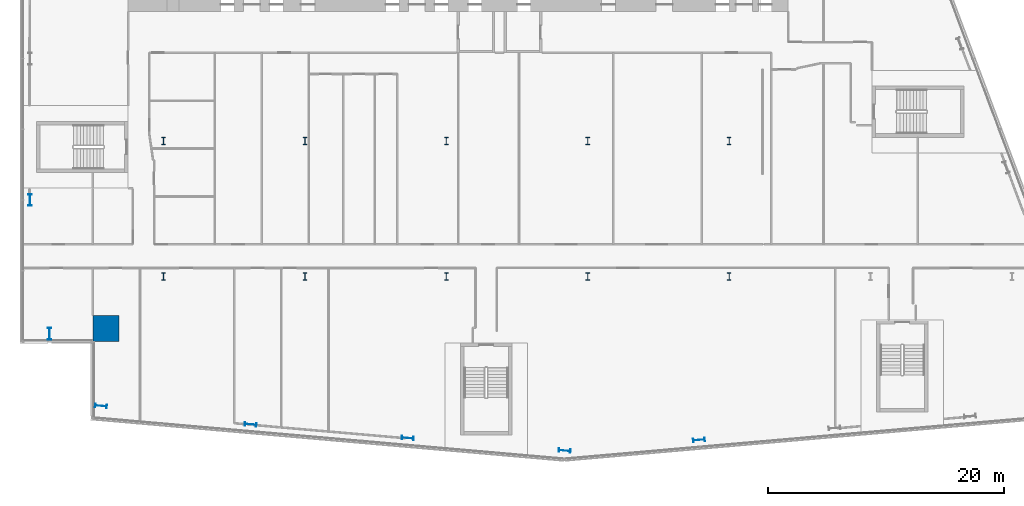
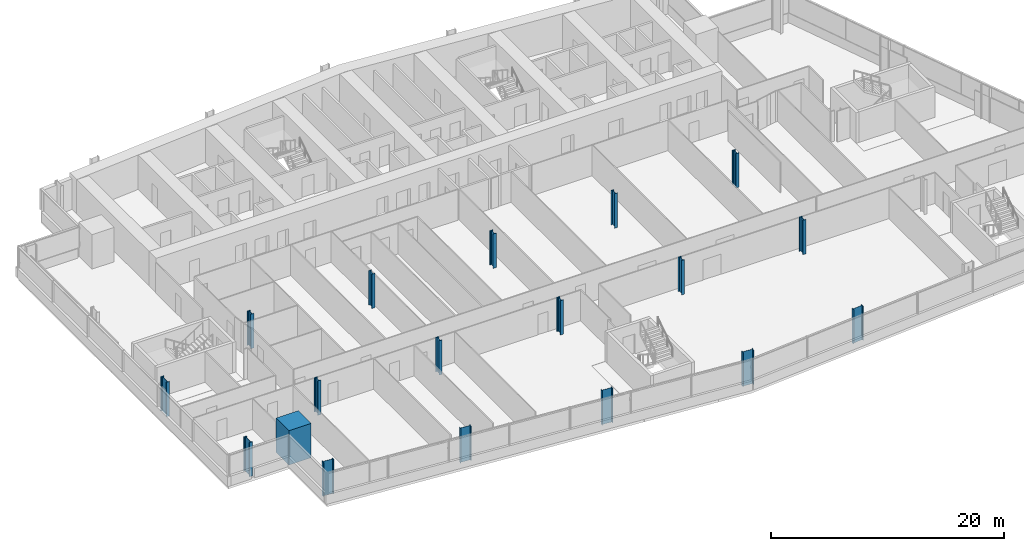
# One storey, part 1 of 24: 18 columns.
"""IFC4 building model written with IfcOpenShell, lengths in metres."""

from ifc_helpers import new_model, si_unit, direction, frame, origin, origin_2d, place, context, subcontext, project, spatial, rectangle, i_section, extrude, material, material_profile, profile_set, type_object, element, save


model = new_model("IFC4")

# Units and contexts
model_context = context("Model", 3, precision=1e-05, world=origin(), true_north=direction((0.0, 1.0)))
body_context = subcontext(model_context, "Body", "Model", "MODEL_VIEW")
ifc_project = project(units=[si_unit("LENGTHUNIT", "METRE"), si_unit("AREAUNIT", "SQUARE_METRE"), si_unit("VOLUMEUNIT", "CUBIC_METRE"), si_unit("PLANEANGLEUNIT", "RADIAN"), si_unit("MASSUNIT", "GRAM", prefix="KILO")], contexts=[model_context])

# Site, building, storey
site_placement = place(None, origin())
site = spatial("IfcSite", under=ifc_project, at=site_placement, CompositionType="ELEMENT")
building_placement = place(site_placement, origin())
building = spatial("IfcBuilding", under=site, at=building_placement, Name="Wharfspan Tower", CompositionType="ELEMENT")
storey_placement = place(building_placement, frame((0.0, 0.0, 41.5)))
storey = spatial("IfcBuildingStorey", under=building, at=storey_placement, Name="L06", CompositionType="ELEMENT", Elevation=41.5)

# Columns
ifc_material_1 = material(Name="Steel S355J2", Category="steel")
ifc_material_profile_1 = material_profile(ifc_material_1, i_section(OverallWidth=0.302002, OverallDepth=1.008057, WebThickness=0.020996, FlangeThickness=0.040039, FilletRadius=0.030029, at=origin_2d()))
ifc_profile_set_1 = profile_set([ifc_material_profile_1], Name="Steel S355J2")
column_type_1 = type_object("IfcColumnType", Name="Column HEM 1000", PredefinedType="COLUMN", material=ifc_profile_set_1)
for number, where, z_axis, x_axis, name in (
    (1, (6.694336, 0.528564, 0.0), (0.0, 0.0, 1.0), (-0.087156, -0.996198, 0.0), "Perimeter column PS1.1 L06"),
    (2, (19.390869, -1.033936, 0.0), (0.0, 0.0, 1.0), (-0.087156, -0.996198, 0.0), "Perimeter column PS1.2 L06"),
    (3, (32.724121, -2.200439, 0.0), (0.0, 0.0, 1.0), (-0.087156, -0.996198, 0.0), "Perimeter column PS1.3 L06"),
    (4, (46.04248, -3.268066, 0.0), (0.0, 0.0, 1.0), (-0.087156, -0.996198, 0.0), "Perimeter column PS1.4 L06"),
    (5, (57.442383, -2.36084, 0.0), (0.0, 0.0, 1.0), (0.087156, -0.996198, 0.0), "Perimeter column PS2.1 L06"),
    (6, (0.659912, 18.0, 0.0), (0.0, 0.0, 1.0), (-1.0, 0.0, 0.0), "Perimeter column PW.2 L06"),
    (7, (2.331787, 6.66748, 0.0), (0.0, 0.0, 1.0), (-1.0, 0.0, 0.0), "Perimeter column PW.3 L06"),
):
    element("IfcColumn", number, at=place(storey_placement, frame(where, z_axis=z_axis, x_axis=x_axis)), inside=storey, type_object=column_type_1, Name=name, PredefinedType="COLUMN", context=body_context, shape_type="SweptSolid", body=[
        extrude(i_section(OverallWidth=0.302002, OverallDepth=1.008057, WebThickness=0.020996, FlangeThickness=0.040039, FilletRadius=0.030029, at=origin_2d()), origin(), (0.0, 0.0, 1.0), 3.600098),
    ])
ifc_material_profile_2 = material_profile(ifc_material_1, i_section(OverallWidth=0.304932, OverallDepth=0.620117, WebThickness=0.020996, FlangeThickness=0.040039, FilletRadius=0.0271, at=origin_2d()))
ifc_profile_set_2 = profile_set([ifc_material_profile_2], Name="Steel S355J2")
column_type_2 = type_object("IfcColumnType", Name="Column HEM 600", PredefinedType="COLUMN", material=ifc_profile_set_2)
for number, where, z_axis, x_axis, name in (
    (8, (12.0, 11.5, 0.0), (0.0, 0.0, 1.0), (1.0, 0.0, 0.0), "Interior column I.1.1 L06"),
    (9, (24.0, 11.5, 0.0), (0.0, 0.0, 1.0), (1.0, 0.0, 0.0), "Interior column I.1.2 L06"),
    (10, (36.0, 11.5, 0.0), (0.0, 0.0, 1.0), (1.0, 0.0, 0.0), "Interior column I.1.3 L06"),
    (11, (48.0, 11.5, 0.0), (0.0, 0.0, 1.0), (1.0, 0.0, 0.0), "Interior column I.1.4 L06"),
    (12, (60.0, 11.5, 0.0), (0.0, 0.0, 1.0), (1.0, 0.0, 0.0), "Interior column I.1.5 L06"),
    (13, (12.0, 23.0, 0.0), (0.0, 0.0, 1.0), (1.0, 0.0, 0.0), "Interior column I.2.1 L06"),
    (14, (24.0, 23.0, 0.0), (0.0, 0.0, 1.0), (1.0, 0.0, 0.0), "Interior column I.2.2 L06"),
    (15, (36.0, 23.0, 0.0), (0.0, 0.0, 1.0), (1.0, 0.0, 0.0), "Interior column I.2.3 L06"),
    (16, (48.0, 23.0, 0.0), (0.0, 0.0, 1.0), (1.0, 0.0, 0.0), "Interior column I.2.4 L06"),
    (17, (60.0, 23.0, 0.0), (0.0, 0.0, 1.0), (1.0, 0.0, 0.0), "Interior column I.2.5 L06"),
):
    element("IfcColumn", number, at=place(storey_placement, frame(where, z_axis=z_axis, x_axis=x_axis)), inside=storey, type_object=column_type_2, Name=name, PredefinedType="COLUMN", context=body_context, shape_type="SweptSolid", body=[
        extrude(i_section(OverallWidth=0.304932, OverallDepth=0.620117, WebThickness=0.020996, FlangeThickness=0.040039, FilletRadius=0.0271, at=origin_2d()), origin(), (0.0, 0.0, 1.0), 3.600098),
    ])
ifc_material_2 = material(Name="Concrete C70/85", Category="concrete")
ifc_material_profile_3 = material_profile(ifc_material_2, rectangle(XDim=2.199951, YDim=2.199951, at=origin_2d()))
ifc_profile_set_3 = profile_set([ifc_material_profile_3], Name="Concrete C70/85")
column_type_3 = type_object("IfcColumnType", Name="Mega column 2200 C70/85", PredefinedType="COLUMN", material=ifc_profile_set_3)
column_placement = place(storey_placement, frame((7.100098, 7.100098, 0.0), z_axis=(0.0, 0.0, 1.0), x_axis=(1.0, 0.0, 0.0)))
element("IfcColumn", 18, at=column_placement, inside=storey, type_object=column_type_3, Name="Mega column MC1 L06", PredefinedType="COLUMN", context=body_context, shape_type="SweptSolid", body=[
    extrude(rectangle(XDim=2.199951, YDim=2.199951, at=origin_2d()), origin(), (0.0, 0.0, 1.0), 3.600098),
])

save(model, "model.ifc")
